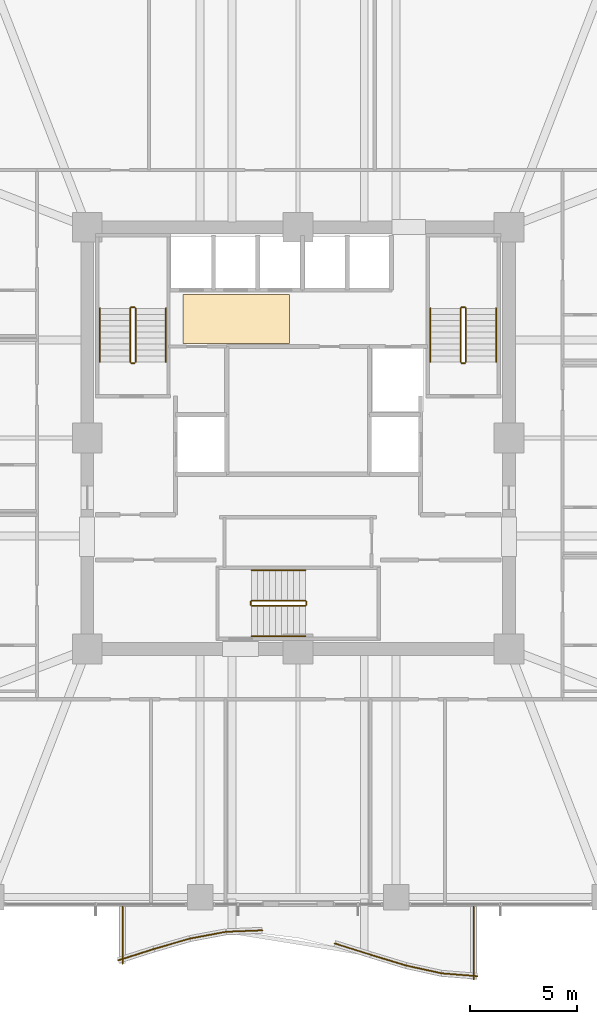
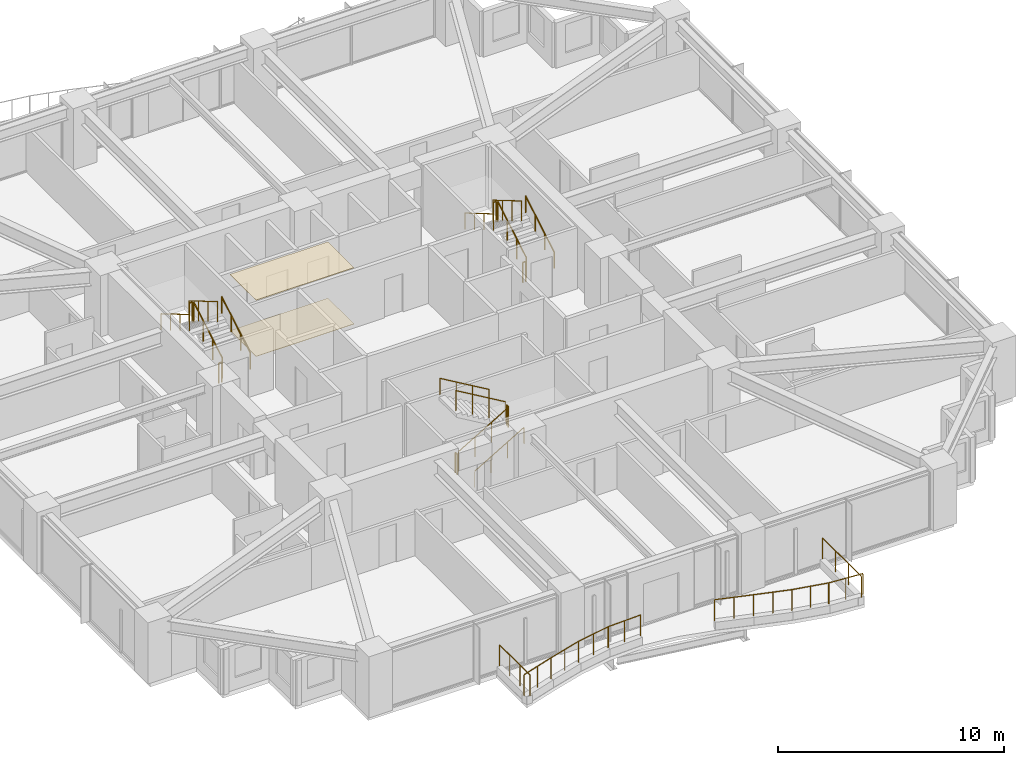
# One storey, part 37 of 38: 28 railings, 2 coverings.
"""IFC4 building model written with IfcOpenShell, lengths in metres."""

from ifc_helpers import new_model, si_unit, direction, frame, origin, origin_2d, place, context, subcontext, project, spatial, polyline, circle, outline, extrude, material, layer, layer_set, type_object, element, save


model = new_model("IFC4")

# Units and contexts
model_context = context("Model", 3, precision=1e-05, world=origin(), true_north=direction((0.0, 1.0)))
body_context = subcontext(model_context, "Body", "Model", "MODEL_VIEW")
ifc_project = project(units=[si_unit("LENGTHUNIT", "METRE"), si_unit("AREAUNIT", "SQUARE_METRE"), si_unit("VOLUMEUNIT", "CUBIC_METRE"), si_unit("PLANEANGLEUNIT", "RADIAN"), si_unit("MASSUNIT", "GRAM", prefix="KILO")], contexts=[model_context])

# Site, building, storey
site_placement = place(None, origin())
site = spatial("IfcSite", under=ifc_project, at=site_placement, CompositionType="ELEMENT")
building_placement = place(site_placement, origin())
building = spatial("IfcBuilding", under=site, at=building_placement, Name="Kolvaren Belvedere", CompositionType="ELEMENT")
storey_placement = place(building_placement, frame((0.0, 0.0, 27.10009765625)))
storey = spatial("IfcBuildingStorey", under=building, at=storey_placement, Name="L07", CompositionType="ELEMENT", Elevation=27.10009765625)

# Coverings
ifc_material_1 = material(Name="Acoustic perforated gypsum board", Category="gypsum")
ifc_layer_1 = layer(ifc_material_1, 0.02490234375)
ifc_layer_set_1 = layer_set([ifc_layer_1], Name="Acoustic perforated gypsum board")
covering_type_1 = type_object("IfcCoveringType", Name="COV-CEIL-GYP", PredefinedType="CEILING", material=ifc_layer_set_1)
covering_1_placement = place(storey_placement, frame((0.0, 0.0, 3.034912109375)))
element("IfcCovering", 1, at=covering_1_placement, inside=storey, type_object=covering_type_1, Name="L07 Lift Lobby Acoustic Baffle Ceiling", PredefinedType="CEILING", context=body_context, shape_type="SweptSolid", body=[
    extrude(outline(polyline([(-5.39990234375, 4.449951171875), (-0.39990234375, 4.449951171875), (-0.39990234375, 6.75), (-5.39990234375, 6.75), (-5.39990234375, 4.449951171875)])), origin(), (0.0, 0.0, 1.0), 0.02490234375),
])
ifc_material_2 = material(Name="Engineered Pacific white oak", Category="timber")
ifc_layer_2 = layer(ifc_material_2, 0.02001953125)
ifc_layer_set_2 = layer_set([ifc_layer_2], Name="Engineered Pacific white oak")
covering_type_2 = type_object("IfcCoveringType", Name="COV-FLR-OAK", PredefinedType="FLOORING", material=ifc_layer_set_2)
covering_2_placement = place(storey_placement, origin())
element("IfcCovering", 2, at=covering_2_placement, inside=storey, type_object=covering_type_2, Name="L07 Lift Lobby Finish Flooring", PredefinedType="FLOORING", context=body_context, shape_type="SweptSolid", body=[
    extrude(outline(polyline([(-5.39990234375, 4.449951171875), (-0.39990234375, 4.449951171875), (-0.39990234375, 6.75), (-5.39990234375, 6.75), (-5.39990234375, 4.449951171875)])), origin(), (0.0, 0.0, 1.0), 0.02001953125),
])

# Railings
ifc_material_3 = material(Name="Anodised pale-metal aluminium & laminated glass guard", Category="aluminium")
railing_type_1 = type_object("IfcRailingType", Name="RL-GUARD-1150", PredefinedType="GUARDRAIL", material=ifc_material_3)
railing_1_placement = place(storey_placement, frame((-8.448486328125, -24.521240234375, 0.35986328125)))
element("IfcRailing", 3, at=railing_1_placement, inside=storey, type_object=railing_type_1, Name="L07 Exterior Deck Safety Guard BAL-S-1", PredefinedType="GUARDRAIL", context=body_context, shape_type="SweptSolid", body=[
    extrude(circle(Radius=0.02392578125, at=origin_2d()), frame((0.0, 0.0, 1.1259765625), z_axis=(0.952661770826, 0.304032153573, 0.0), x_axis=(-0.304032153573, 0.952661770826, 0.0)), (0.0, 0.0, 1.0), 1.763427734375),
    extrude(circle(Radius=0.02099609375, at=origin_2d()), origin(), (0.0, 0.0, 1.0), 1.101806640625),
    extrude(circle(Radius=0.02099609375, at=origin_2d()), frame((0.83984375, 0.26806640625, 0.0)), (0.0, 0.0, 1.0), 1.101806640625),
    extrude(circle(Radius=0.02099609375, at=origin_2d()), frame((1.679931640625, 0.5361328125, 0.0)), (0.0, 0.0, 1.0), 1.101806640625),
])
railing_2_placement = place(storey_placement, frame((-6.764404296875, -23.98388671875, 0.35986328125)))
element("IfcRailing", 4, at=railing_2_placement, inside=storey, type_object=railing_type_1, Name="L07 Exterior Deck Safety Guard BAL-S-2", PredefinedType="GUARDRAIL", context=body_context, shape_type="SweptSolid", body=[
    extrude(circle(Radius=0.02392578125, at=origin_2d()), frame((0.0, 0.0, 1.1259765625), z_axis=(0.96059663827, 0.277946215201, 0.0), x_axis=(-0.277946215201, 0.96059663827, 0.0)), (0.0, 0.0, 1.0), 1.748779296875),
    extrude(circle(Radius=0.02099609375, at=origin_2d()), origin(), (0.0, 0.0, 1.0), 1.101806640625),
    extrude(circle(Radius=0.02099609375, at=origin_2d()), frame((0.83984375, 0.2431640625, 0.0)), (0.0, 0.0, 1.0), 1.101806640625),
    extrude(circle(Radius=0.02099609375, at=origin_2d()), frame((1.679931640625, 0.486083984375, 0.0)), (0.0, 0.0, 1.0), 1.101806640625),
])
railing_3_placement = place(storey_placement, frame((-5.069580078125, -23.494384765625, 0.35986328125)))
element("IfcRailing", 5, at=railing_3_placement, inside=storey, type_object=railing_type_1, Name="L07 Exterior Deck Safety Guard BAL-S-3", PredefinedType="GUARDRAIL", context=body_context, shape_type="SweptSolid", body=[
    extrude(circle(Radius=0.02392578125, at=origin_2d()), frame((0.0, 0.0, 1.1259765625), z_axis=(0.982799348901, 0.18467658162, 0.0), x_axis=(-0.18467658162, 0.982799348901, 0.0)), (0.0, 0.0, 1.0), 1.709228515625),
    extrude(circle(Radius=0.02099609375, at=origin_2d()), origin(), (0.0, 0.0, 1.0), 1.101806640625),
    extrude(circle(Radius=0.02099609375, at=origin_2d()), frame((0.83984375, 0.15771484375, 0.0)), (0.0, 0.0, 1.0), 1.101806640625),
    extrude(circle(Radius=0.02099609375, at=origin_2d()), frame((1.679931640625, 0.315673828125, 0.0)), (0.0, 0.0, 1.0), 1.101806640625),
])
railing_4_placement = place(storey_placement, frame((-3.366455078125, -23.17578125, 0.35986328125)))
element("IfcRailing", 6, at=railing_4_placement, inside=storey, type_object=railing_type_1, Name="L07 Exterior Deck Safety Guard BAL-S-4", PredefinedType="GUARDRAIL", context=body_context, shape_type="SweptSolid", body=[
    extrude(circle(Radius=0.02392578125, at=origin_2d()), frame((0.0, 0.0, 1.1259765625), z_axis=(0.999202581436, 0.039927449854, 0.0), x_axis=(-0.039927449854, 0.999202581436, 0.0)), (0.0, 0.0, 1.0), 1.681396484375),
    extrude(circle(Radius=0.02099609375, at=origin_2d()), origin(), (0.0, 0.0, 1.0), 1.101806640625),
    extrude(circle(Radius=0.02099609375, at=origin_2d()), frame((0.840087890625, 0.03369140625, 0.0)), (0.0, 0.0, 1.0), 1.101806640625),
    extrude(circle(Radius=0.02099609375, at=origin_2d()), frame((1.68017578125, 0.067138671875, 0.0)), (0.0, 0.0, 1.0), 1.101806640625),
])
railing_5_placement = place(storey_placement, frame((1.727783203125, -23.7275390625, 0.35986328125)))
element("IfcRailing", 7, at=railing_5_placement, inside=storey, type_object=railing_type_1, Name="L07 Exterior Deck Safety Guard BAL-S-7", PredefinedType="GUARDRAIL", context=body_context, shape_type="SweptSolid", body=[
    extrude(circle(Radius=0.02392578125, at=origin_2d()), frame((0.0, 0.0, 1.1259765625), z_axis=(0.954069594374, -0.299585061529, 0.0), x_axis=(0.299585061529, 0.954069594374, 0.0)), (0.0, 0.0, 1.0), 1.760986328125),
    extrude(circle(Radius=0.02099609375, at=origin_2d()), origin(), (0.0, 0.0, 1.0), 1.101806640625),
    extrude(circle(Radius=0.02099609375, at=origin_2d()), frame((0.840087890625, -0.263671875, 0.0)), (0.0, 0.0, 1.0), 1.101806640625),
    extrude(circle(Radius=0.02099609375, at=origin_2d()), frame((1.68017578125, -0.527587890625, 0.0)), (0.0, 0.0, 1.0), 1.101806640625),
])
railing_6_placement = place(storey_placement, frame((3.406494140625, -24.254638671875, 0.35986328125)))
element("IfcRailing", 8, at=railing_6_placement, inside=storey, type_object=railing_type_1, Name="L07 Exterior Deck Safety Guard BAL-S-8", PredefinedType="GUARDRAIL", context=body_context, shape_type="SweptSolid", body=[
    extrude(circle(Radius=0.02392578125, at=origin_2d()), frame((0.0, 0.0, 1.1259765625), z_axis=(0.956732787823, -0.290967992577, 0.0), x_axis=(0.290967992577, 0.956732787823, 0.0)), (0.0, 0.0, 1.0), 1.756103515625),
    extrude(circle(Radius=0.02099609375, at=origin_2d()), origin(), (0.0, 0.0, 1.0), 1.101806640625),
    extrude(circle(Radius=0.02099609375, at=origin_2d()), frame((0.840087890625, -0.25537109375, 0.0)), (0.0, 0.0, 1.0), 1.101806640625),
    extrude(circle(Radius=0.02099609375, at=origin_2d()), frame((1.68017578125, -0.510986328125, 0.0)), (0.0, 0.0, 1.0), 1.101806640625),
])
railing_7_placement = place(storey_placement, frame((5.07421875, -24.762451171875, 0.35986328125)))
element("IfcRailing", 9, at=railing_7_placement, inside=storey, type_object=railing_type_1, Name="L07 Exterior Deck Safety Guard BAL-S-9", PredefinedType="GUARDRAIL", context=body_context, shape_type="SweptSolid", body=[
    extrude(circle(Radius=0.02392578125, at=origin_2d()), frame((0.0, 0.0, 1.1259765625), z_axis=(0.976876857632, -0.213802724545, 0.0), x_axis=(0.213802724545, 0.976876857632, 0.0)), (0.0, 0.0, 1.0), 1.7197265625),
    extrude(circle(Radius=0.02099609375, at=origin_2d()), origin(), (0.0, 0.0, 1.0), 1.101806640625),
    extrude(circle(Radius=0.02099609375, at=origin_2d()), frame((0.83984375, -0.183837890625, 0.0)), (0.0, 0.0, 1.0), 1.101806640625),
    extrude(circle(Radius=0.02099609375, at=origin_2d()), frame((1.679931640625, -0.36767578125, 0.0)), (0.0, 0.0, 1.0), 1.101806640625),
])
railing_8_placement = place(storey_placement, frame((6.732666015625, -25.126953125, 0.35986328125)))
element("IfcRailing", 10, at=railing_8_placement, inside=storey, type_object=railing_type_1, Name="L07 Exterior Deck Safety Guard BAL-S-10", PredefinedType="GUARDRAIL", context=body_context, shape_type="SweptSolid", body=[
    extrude(circle(Radius=0.02392578125, at=origin_2d()), frame((0.0, 0.0, 1.1259765625), z_axis=(0.99685522818, -0.079244268248, 0.0), x_axis=(0.079244268248, 0.99685522818, 0.0)), (0.0, 0.0, 1.0), 1.685302734375),
    extrude(circle(Radius=0.02099609375, at=origin_2d()), origin(), (0.0, 0.0, 1.0), 1.101806640625),
    extrude(circle(Radius=0.02099609375, at=origin_2d()), frame((0.83984375, -0.06689453125, 0.0)), (0.0, 0.0, 1.0), 1.101806640625),
    extrude(circle(Radius=0.02099609375, at=origin_2d()), frame((1.679931640625, -0.133544921875, 0.0)), (0.0, 0.0, 1.0), 1.101806640625),
])
railing_9_placement = place(storey_placement, frame((8.239990234375, -25.419921875, 0.35986328125)))
element("IfcRailing", 11, at=railing_9_placement, inside=storey, type_object=railing_type_1, Name="L07 Exterior Deck Safety Guard BAL-S-11", PredefinedType="GUARDRAIL", context=body_context, shape_type="SweptSolid", body=[
    extrude(circle(Radius=0.02392578125, at=origin_2d()), frame((0.0, 0.0, 1.1259765625), z_axis=(0.0, 1.0, 0.0), x_axis=(-1.0, 0.0, 0.0)), (0.0, 0.0, 1.0), 3.419921875),
    extrude(circle(Radius=0.02099609375, at=origin_2d()), origin(), (0.0, 0.0, 1.0), 1.101806640625),
    extrude(circle(Radius=0.02099609375, at=origin_2d()), frame((0.0, 1.139892578125, 0.0)), (0.0, 0.0, 1.0), 1.101806640625),
    extrude(circle(Radius=0.02099609375, at=origin_2d()), frame((0.0, 2.280029296875, 0.0)), (0.0, 0.0, 1.0), 1.101806640625),
    extrude(circle(Radius=0.02099609375, at=origin_2d()), frame((0.0, 3.419921875, 0.0)), (0.0, 0.0, 1.0), 1.101806640625),
])
railing_10_placement = place(storey_placement, frame((-8.239990234375, -22.0, 0.35986328125)))
element("IfcRailing", 12, at=railing_10_placement, inside=storey, type_object=railing_type_1, Name="L07 Exterior Deck Safety Guard BAL-S-22", PredefinedType="GUARDRAIL", context=body_context, shape_type="SweptSolid", body=[
    extrude(circle(Radius=0.02392578125, at=origin_2d()), frame((0.0, 0.0, 1.1259765625), z_axis=(0.0, -1.0, 0.0), x_axis=(1.0, 0.0, 0.0)), (0.0, 0.0, 1.0), 2.673583984375),
    extrude(circle(Radius=0.02099609375, at=origin_2d()), origin(), (0.0, 0.0, 1.0), 1.101806640625),
    extrude(circle(Radius=0.02099609375, at=origin_2d()), frame((0.0, -0.89111328125, 0.0)), (0.0, 0.0, 1.0), 1.101806640625),
    extrude(circle(Radius=0.02099609375, at=origin_2d()), frame((0.0, -1.782470703125, 0.0)), (0.0, 0.0, 1.0), 1.101806640625),
    extrude(circle(Radius=0.02099609375, at=origin_2d()), frame((0.0, -2.673583984375, 0.0)), (0.0, 0.0, 1.0), 1.101806640625),
])
ifc_material_4 = material(Name="Brushed stainless-steel handrail", Category="steel")
railing_type_2 = type_object("IfcRailingType", Name="RL-HANDRAIL-920", PredefinedType="HANDRAIL", material=ifc_material_4)
railing_11_placement = place(storey_placement, frame((-6.2099609375, 3.570068359375, 0.164794921875)))
element("IfcRailing", 13, at=railing_11_placement, inside=storey, type_object=railing_type_2, Name="L07 ST-1 stair handrail 1", PredefinedType="HANDRAIL", context=body_context, shape_type="SweptSolid", body=[
    extrude(circle(Radius=0.02392578125, at=origin_2d()), frame((0.0, 0.0, 0.8759765625), z_axis=(0.0, 0.86152411907, 0.507716645641), x_axis=(-1.0, 0.0, 0.0)), (0.0, 0.0, 1.0), 2.925048828125),
    extrude(circle(Radius=0.02099609375, at=origin_2d()), origin(), (0.0, 0.0, 1.0), 0.851806640625),
    extrude(circle(Radius=0.02099609375, at=origin_2d()), frame((0.0, 0.840087890625, 0.4951171875)), (0.0, 0.0, 1.0), 0.851806640625),
    extrude(circle(Radius=0.02099609375, at=origin_2d()), frame((0.0, 1.679931640625, 0.989990234375)), (0.0, 0.0, 1.0), 0.851806640625),
    extrude(circle(Radius=0.02099609375, at=origin_2d()), frame((0.0, 2.52001953125, 1.485107421875)), (0.0, 0.0, 1.0), 0.851806640625),
])
railing_12_placement = place(storey_placement, frame((-9.300048828125, 6.090087890625, 1.81494140625)))
element("IfcRailing", 14, at=railing_12_placement, inside=storey, type_object=railing_type_2, Name="L07 ST-1 stair handrail 2", PredefinedType="HANDRAIL", context=body_context, shape_type="SweptSolid", body=[
    extrude(circle(Radius=0.02392578125, at=origin_2d()), frame((0.0, 0.0, 0.8759765625), z_axis=(0.0, -0.861560626758, 0.507654692109), x_axis=(1.0, 0.0, 0.0)), (0.0, 0.0, 1.0), 2.925048828125),
    extrude(circle(Radius=0.02099609375, at=origin_2d()), origin(), (0.0, 0.0, 1.0), 0.851806640625),
    extrude(circle(Radius=0.02099609375, at=origin_2d()), frame((0.0, -0.840087890625, 0.494873046875)), (0.0, 0.0, 1.0), 0.851806640625),
    extrude(circle(Radius=0.02099609375, at=origin_2d()), frame((0.0, -1.679931640625, 0.989990234375)), (0.0, 0.0, 1.0), 0.851806640625),
    extrude(circle(Radius=0.02099609375, at=origin_2d()), frame((0.0, -2.52001953125, 1.48486328125)), (0.0, 0.0, 1.0), 0.851806640625),
])
railing_13_placement = place(storey_placement, frame((9.300048828125, 3.570068359375, 0.164794921875)))
element("IfcRailing", 15, at=railing_13_placement, inside=storey, type_object=railing_type_2, Name="L07 ST-2 stair handrail 1", PredefinedType="HANDRAIL", context=body_context, shape_type="SweptSolid", body=[
    extrude(circle(Radius=0.02392578125, at=origin_2d()), frame((0.0, 0.0, 0.8759765625), z_axis=(0.0, 0.86152411907, 0.507716645641), x_axis=(-1.0, 0.0, 0.0)), (0.0, 0.0, 1.0), 2.925048828125),
    extrude(circle(Radius=0.02099609375, at=origin_2d()), origin(), (0.0, 0.0, 1.0), 0.851806640625),
    extrude(circle(Radius=0.02099609375, at=origin_2d()), frame((0.0, 0.840087890625, 0.4951171875)), (0.0, 0.0, 1.0), 0.851806640625),
    extrude(circle(Radius=0.02099609375, at=origin_2d()), frame((0.0, 1.679931640625, 0.989990234375)), (0.0, 0.0, 1.0), 0.851806640625),
    extrude(circle(Radius=0.02099609375, at=origin_2d()), frame((0.0, 2.52001953125, 1.485107421875)), (0.0, 0.0, 1.0), 0.851806640625),
])
railing_14_placement = place(storey_placement, frame((6.2099609375, 6.090087890625, 1.81494140625)))
element("IfcRailing", 16, at=railing_14_placement, inside=storey, type_object=railing_type_2, Name="L07 ST-2 stair handrail 2", PredefinedType="HANDRAIL", context=body_context, shape_type="SweptSolid", body=[
    extrude(circle(Radius=0.02392578125, at=origin_2d()), frame((0.0, 0.0, 0.8759765625), z_axis=(0.0, -0.861560626758, 0.507654692109), x_axis=(1.0, 0.0, 0.0)), (0.0, 0.0, 1.0), 2.925048828125),
    extrude(circle(Radius=0.02099609375, at=origin_2d()), origin(), (0.0, 0.0, 1.0), 0.851806640625),
    extrude(circle(Radius=0.02099609375, at=origin_2d()), frame((0.0, -0.840087890625, 0.494873046875)), (0.0, 0.0, 1.0), 0.851806640625),
    extrude(circle(Radius=0.02099609375, at=origin_2d()), frame((0.0, -1.679931640625, 0.989990234375)), (0.0, 0.0, 1.0), 0.851806640625),
    extrude(circle(Radius=0.02099609375, at=origin_2d()), frame((0.0, -2.52001953125, 1.48486328125)), (0.0, 0.0, 1.0), 0.851806640625),
])
railing_15_placement = place(storey_placement, frame((-2.179931640625, -9.300048828125, 0.164794921875)))
element("IfcRailing", 17, at=railing_15_placement, inside=storey, type_object=railing_type_2, Name="L07 ST-3 stair handrail 1", PredefinedType="HANDRAIL", context=body_context, shape_type="SweptSolid", body=[
    extrude(circle(Radius=0.02392578125, at=origin_2d()), frame((0.0, 0.0, 0.8759765625), z_axis=(0.86152411907, 0.0, 0.507716645641), x_axis=(0.0, 1.0, 0.0)), (0.0, 0.0, 1.0), 2.925048828125),
    extrude(circle(Radius=0.02099609375, at=origin_2d()), origin(), (0.0, 0.0, 1.0), 0.851806640625),
    extrude(circle(Radius=0.02099609375, at=origin_2d()), frame((0.840087890625, 0.0, 0.4951171875)), (0.0, 0.0, 1.0), 0.851806640625),
    extrude(circle(Radius=0.02099609375, at=origin_2d()), frame((1.679931640625, 0.0, 0.989990234375)), (0.0, 0.0, 1.0), 0.851806640625),
    extrude(circle(Radius=0.02099609375, at=origin_2d()), frame((2.52001953125, 0.0, 1.485107421875)), (0.0, 0.0, 1.0), 0.851806640625),
])
railing_16_placement = place(storey_placement, frame((0.340087890625, -6.2099609375, 1.81494140625)))
element("IfcRailing", 18, at=railing_16_placement, inside=storey, type_object=railing_type_2, Name="L07 ST-3 stair handrail 2", PredefinedType="HANDRAIL", context=body_context, shape_type="SweptSolid", body=[
    extrude(circle(Radius=0.02392578125, at=origin_2d()), frame((0.0, 0.0, 0.8759765625), z_axis=(-0.861560626758, 0.0, 0.507654692109), x_axis=(0.0, -1.0, 0.0)), (0.0, 0.0, 1.0), 2.925048828125),
    extrude(circle(Radius=0.02099609375, at=origin_2d()), origin(), (0.0, 0.0, 1.0), 0.851806640625),
    extrude(circle(Radius=0.02099609375, at=origin_2d()), frame((-0.840087890625, 0.0, 0.494873046875)), (0.0, 0.0, 1.0), 0.851806640625),
    extrude(circle(Radius=0.02099609375, at=origin_2d()), frame((-1.679931640625, 0.0, 0.989990234375)), (0.0, 0.0, 1.0), 0.851806640625),
    extrude(circle(Radius=0.02099609375, at=origin_2d()), frame((-2.52001953125, 0.0, 1.48486328125)), (0.0, 0.0, 1.0), 0.851806640625),
])
ifc_material_5 = material(Name="Painted tubular steel stair guard", Category="steel")
railing_type_3 = type_object("IfcRailingType", Name="RL-STGUARD-1100", PredefinedType="GUARDRAIL", material=ifc_material_5)
railing_17_placement = place(storey_placement, frame((-7.6298828125, 3.570068359375, 0.164794921875)))
element("IfcRailing", 19, at=railing_17_placement, inside=storey, type_object=railing_type_3, Name="L07 ST-1 stair guard 1", PredefinedType="GUARDRAIL", context=body_context, shape_type="SweptSolid", body=[
    extrude(circle(Radius=0.02392578125, at=origin_2d()), frame((0.0, 0.0, 1.076171875), z_axis=(0.0, 0.86152411907, 0.507716645641), x_axis=(-1.0, 0.0, 0.0)), (0.0, 0.0, 1.0), 2.925048828125),
    extrude(circle(Radius=0.02099609375, at=origin_2d()), origin(), (0.0, 0.0, 1.0), 1.052001953125),
    extrude(circle(Radius=0.02099609375, at=origin_2d()), frame((0.0, 0.840087890625, 0.4951171875)), (0.0, 0.0, 1.0), 1.052001953125),
    extrude(circle(Radius=0.02099609375, at=origin_2d()), frame((0.0, 1.679931640625, 0.989990234375)), (0.0, 0.0, 1.0), 1.052001953125),
    extrude(circle(Radius=0.02099609375, at=origin_2d()), frame((0.0, 2.52001953125, 1.485107421875)), (0.0, 0.0, 1.0), 1.052001953125),
])
railing_18_placement = place(storey_placement, frame((-7.679931640625, 6.139892578125, 1.64990234375)))
element("IfcRailing", 20, at=railing_18_placement, inside=storey, type_object=railing_type_3, Name="L07 ST-1 stair guard 2", PredefinedType="GUARDRAIL", context=body_context, shape_type="SweptSolid", body=[
    extrude(circle(Radius=0.02392578125, at=origin_2d()), frame((0.0, 0.0, 1.076171875), z_axis=(-1.0, 0.0, 0.0), x_axis=(0.0, -1.0, 0.0)), (0.0, 0.0, 1.0), 0.150146484375),
    extrude(circle(Radius=0.02099609375, at=origin_2d()), origin(), (0.0, 0.0, 1.0), 1.052001953125),
    extrude(circle(Radius=0.02099609375, at=origin_2d()), frame((-0.150146484375, 0.0, 0.0)), (0.0, 0.0, 1.0), 1.052001953125),
])
railing_19_placement = place(storey_placement, frame((-7.8798828125, 6.090087890625, 1.81494140625)))
element("IfcRailing", 21, at=railing_19_placement, inside=storey, type_object=railing_type_3, Name="L07 ST-1 stair guard 3", PredefinedType="GUARDRAIL", context=body_context, shape_type="SweptSolid", body=[
    extrude(circle(Radius=0.02392578125, at=origin_2d()), frame((0.0, 0.0, 1.076171875), z_axis=(0.0, -0.861560626758, 0.507654692109), x_axis=(1.0, 0.0, 0.0)), (0.0, 0.0, 1.0), 2.925048828125),
    extrude(circle(Radius=0.02099609375, at=origin_2d()), origin(), (0.0, 0.0, 1.0), 1.052001953125),
    extrude(circle(Radius=0.02099609375, at=origin_2d()), frame((0.0, -0.840087890625, 0.494873046875)), (0.0, 0.0, 1.0), 1.052001953125),
    extrude(circle(Radius=0.02099609375, at=origin_2d()), frame((0.0, -1.679931640625, 0.989990234375)), (0.0, 0.0, 1.0), 1.052001953125),
    extrude(circle(Radius=0.02099609375, at=origin_2d()), frame((0.0, -2.52001953125, 1.48486328125)), (0.0, 0.0, 1.0), 1.052001953125),
])
railing_20_placement = place(storey_placement, frame((-7.679931640625, 3.52001953125, 0.0)))
element("IfcRailing", 22, at=railing_20_placement, inside=storey, type_object=railing_type_3, Name="L07 ST-1 stair guard 4", PredefinedType="GUARDRAIL", context=body_context, shape_type="SweptSolid", body=[
    extrude(circle(Radius=0.02392578125, at=origin_2d()), frame((0.0, 0.0, 1.076171875), z_axis=(-1.0, 0.0, 0.0), x_axis=(0.0, -1.0, 0.0)), (0.0, 0.0, 1.0), 0.150146484375),
    extrude(circle(Radius=0.02099609375, at=origin_2d()), origin(), (0.0, 0.0, 1.0), 1.052001953125),
    extrude(circle(Radius=0.02099609375, at=origin_2d()), frame((-0.150146484375, 0.0, 0.0)), (0.0, 0.0, 1.0), 1.052001953125),
])
railing_21_placement = place(storey_placement, frame((7.8798828125, 3.570068359375, 0.164794921875)))
element("IfcRailing", 23, at=railing_21_placement, inside=storey, type_object=railing_type_3, Name="L07 ST-2 stair guard 1", PredefinedType="GUARDRAIL", context=body_context, shape_type="SweptSolid", body=[
    extrude(circle(Radius=0.02392578125, at=origin_2d()), frame((0.0, 0.0, 1.076171875), z_axis=(0.0, 0.86152411907, 0.507716645641), x_axis=(-1.0, 0.0, 0.0)), (0.0, 0.0, 1.0), 2.925048828125),
    extrude(circle(Radius=0.02099609375, at=origin_2d()), origin(), (0.0, 0.0, 1.0), 1.052001953125),
    extrude(circle(Radius=0.02099609375, at=origin_2d()), frame((0.0, 0.840087890625, 0.4951171875)), (0.0, 0.0, 1.0), 1.052001953125),
    extrude(circle(Radius=0.02099609375, at=origin_2d()), frame((0.0, 1.679931640625, 0.989990234375)), (0.0, 0.0, 1.0), 1.052001953125),
    extrude(circle(Radius=0.02099609375, at=origin_2d()), frame((0.0, 2.52001953125, 1.485107421875)), (0.0, 0.0, 1.0), 1.052001953125),
])
railing_22_placement = place(storey_placement, frame((7.830078125, 6.139892578125, 1.64990234375)))
element("IfcRailing", 24, at=railing_22_placement, inside=storey, type_object=railing_type_3, Name="L07 ST-2 stair guard 2", PredefinedType="GUARDRAIL", context=body_context, shape_type="SweptSolid", body=[
    extrude(circle(Radius=0.02392578125, at=origin_2d()), frame((0.0, 0.0, 1.076171875), z_axis=(-1.0, 0.0, 0.0), x_axis=(0.0, -1.0, 0.0)), (0.0, 0.0, 1.0), 0.150146484375),
    extrude(circle(Radius=0.02099609375, at=origin_2d()), origin(), (0.0, 0.0, 1.0), 1.052001953125),
    extrude(circle(Radius=0.02099609375, at=origin_2d()), frame((-0.150146484375, 0.0, 0.0)), (0.0, 0.0, 1.0), 1.052001953125),
])
railing_23_placement = place(storey_placement, frame((7.6298828125, 6.090087890625, 1.81494140625)))
element("IfcRailing", 25, at=railing_23_placement, inside=storey, type_object=railing_type_3, Name="L07 ST-2 stair guard 3", PredefinedType="GUARDRAIL", context=body_context, shape_type="SweptSolid", body=[
    extrude(circle(Radius=0.02392578125, at=origin_2d()), frame((0.0, 0.0, 1.076171875), z_axis=(0.0, -0.861560626758, 0.507654692109), x_axis=(1.0, 0.0, 0.0)), (0.0, 0.0, 1.0), 2.925048828125),
    extrude(circle(Radius=0.02099609375, at=origin_2d()), origin(), (0.0, 0.0, 1.0), 1.052001953125),
    extrude(circle(Radius=0.02099609375, at=origin_2d()), frame((0.0, -0.840087890625, 0.494873046875)), (0.0, 0.0, 1.0), 1.052001953125),
    extrude(circle(Radius=0.02099609375, at=origin_2d()), frame((0.0, -1.679931640625, 0.989990234375)), (0.0, 0.0, 1.0), 1.052001953125),
    extrude(circle(Radius=0.02099609375, at=origin_2d()), frame((0.0, -2.52001953125, 1.48486328125)), (0.0, 0.0, 1.0), 1.052001953125),
])
railing_24_placement = place(storey_placement, frame((7.830078125, 3.52001953125, 0.0)))
element("IfcRailing", 26, at=railing_24_placement, inside=storey, type_object=railing_type_3, Name="L07 ST-2 stair guard 4", PredefinedType="GUARDRAIL", context=body_context, shape_type="SweptSolid", body=[
    extrude(circle(Radius=0.02392578125, at=origin_2d()), frame((0.0, 0.0, 1.076171875), z_axis=(-1.0, 0.0, 0.0), x_axis=(0.0, -1.0, 0.0)), (0.0, 0.0, 1.0), 0.150146484375),
    extrude(circle(Radius=0.02099609375, at=origin_2d()), origin(), (0.0, 0.0, 1.0), 1.052001953125),
    extrude(circle(Radius=0.02099609375, at=origin_2d()), frame((-0.150146484375, 0.0, 0.0)), (0.0, 0.0, 1.0), 1.052001953125),
])
railing_25_placement = place(storey_placement, frame((-2.179931640625, -7.8798828125, 0.164794921875)))
element("IfcRailing", 27, at=railing_25_placement, inside=storey, type_object=railing_type_3, Name="L07 ST-3 stair guard 1", PredefinedType="GUARDRAIL", context=body_context, shape_type="SweptSolid", body=[
    extrude(circle(Radius=0.02392578125, at=origin_2d()), frame((0.0, 0.0, 1.076171875), z_axis=(0.86152411907, 0.0, 0.507716645641), x_axis=(0.0, 1.0, 0.0)), (0.0, 0.0, 1.0), 2.925048828125),
    extrude(circle(Radius=0.02099609375, at=origin_2d()), origin(), (0.0, 0.0, 1.0), 1.052001953125),
    extrude(circle(Radius=0.02099609375, at=origin_2d()), frame((0.840087890625, 0.0, 0.4951171875)), (0.0, 0.0, 1.0), 1.052001953125),
    extrude(circle(Radius=0.02099609375, at=origin_2d()), frame((1.679931640625, 0.0, 0.989990234375)), (0.0, 0.0, 1.0), 1.052001953125),
    extrude(circle(Radius=0.02099609375, at=origin_2d()), frame((2.52001953125, 0.0, 1.485107421875)), (0.0, 0.0, 1.0), 1.052001953125),
])
railing_26_placement = place(storey_placement, frame((0.389892578125, -7.830078125, 1.64990234375)))
element("IfcRailing", 28, at=railing_26_placement, inside=storey, type_object=railing_type_3, Name="L07 ST-3 stair guard 2", PredefinedType="GUARDRAIL", context=body_context, shape_type="SweptSolid", body=[
    extrude(circle(Radius=0.02392578125, at=origin_2d()), frame((0.0, 0.0, 1.076171875), z_axis=(0.0, 1.0, 0.0), x_axis=(-1.0, 0.0, 0.0)), (0.0, 0.0, 1.0), 0.150146484375),
    extrude(circle(Radius=0.02099609375, at=origin_2d()), origin(), (0.0, 0.0, 1.0), 1.052001953125),
    extrude(circle(Radius=0.02099609375, at=origin_2d()), frame((0.0, 0.150146484375, 0.0)), (0.0, 0.0, 1.0), 1.052001953125),
])
railing_27_placement = place(storey_placement, frame((0.340087890625, -7.6298828125, 1.81494140625)))
element("IfcRailing", 29, at=railing_27_placement, inside=storey, type_object=railing_type_3, Name="L07 ST-3 stair guard 3", PredefinedType="GUARDRAIL", context=body_context, shape_type="SweptSolid", body=[
    extrude(circle(Radius=0.02392578125, at=origin_2d()), frame((0.0, 0.0, 1.076171875), z_axis=(-0.861560626758, 0.0, 0.507654692109), x_axis=(0.0, -1.0, 0.0)), (0.0, 0.0, 1.0), 2.925048828125),
    extrude(circle(Radius=0.02099609375, at=origin_2d()), origin(), (0.0, 0.0, 1.0), 1.052001953125),
    extrude(circle(Radius=0.02099609375, at=origin_2d()), frame((-0.840087890625, 0.0, 0.494873046875)), (0.0, 0.0, 1.0), 1.052001953125),
    extrude(circle(Radius=0.02099609375, at=origin_2d()), frame((-1.679931640625, 0.0, 0.989990234375)), (0.0, 0.0, 1.0), 1.052001953125),
    extrude(circle(Radius=0.02099609375, at=origin_2d()), frame((-2.52001953125, 0.0, 1.48486328125)), (0.0, 0.0, 1.0), 1.052001953125),
])
railing_28_placement = place(storey_placement, frame((-2.22998046875, -7.830078125, 0.0)))
element("IfcRailing", 30, at=railing_28_placement, inside=storey, type_object=railing_type_3, Name="L07 ST-3 stair guard 4", PredefinedType="GUARDRAIL", context=body_context, shape_type="SweptSolid", body=[
    extrude(circle(Radius=0.02392578125, at=origin_2d()), frame((0.0, 0.0, 1.076171875), z_axis=(0.0, 1.0, 0.0), x_axis=(-1.0, 0.0, 0.0)), (0.0, 0.0, 1.0), 0.150146484375),
    extrude(circle(Radius=0.02099609375, at=origin_2d()), origin(), (0.0, 0.0, 1.0), 1.052001953125),
    extrude(circle(Radius=0.02099609375, at=origin_2d()), frame((0.0, 0.150146484375, 0.0)), (0.0, 0.0, 1.0), 1.052001953125),
])

save(model, "model.ifc")
